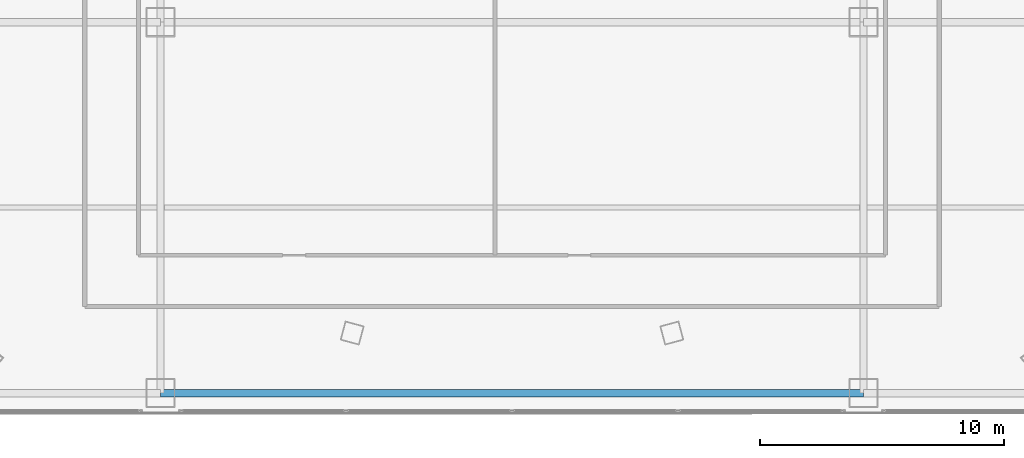
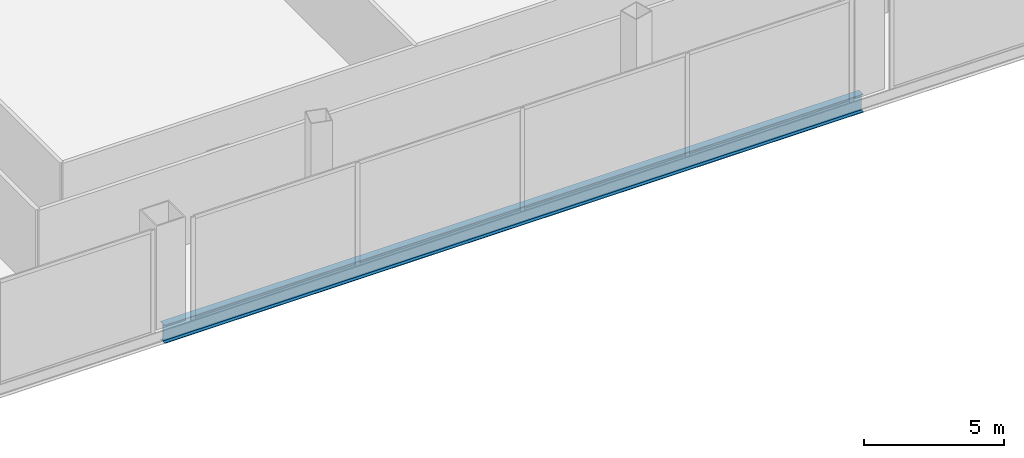
# One storey, part 8 of 40: 1 beam.
"""IFC4 building model written with IfcOpenShell, lengths in metres."""

from ifc_helpers import new_model, si_unit, direction, frame, origin, origin_2d, place, context, subcontext, project, spatial, i_section, extrude, source, transform, mapped, material, material_profile, profile_set, type_object, element, save


model = new_model("IFC4")

# Units and contexts
model_context = context("Model", 3, precision=1e-05, world=origin(), true_north=direction((0.0, 1.0)))
body_context = subcontext(model_context, "Body", "Model", "MODEL_VIEW")
ifc_project = project(units=[si_unit("LENGTHUNIT", "METRE"), si_unit("AREAUNIT", "SQUARE_METRE"), si_unit("VOLUMEUNIT", "CUBIC_METRE"), si_unit("PLANEANGLEUNIT", "RADIAN"), si_unit("MASSUNIT", "GRAM", prefix="KILO"), si_unit("THERMODYNAMICTEMPERATUREUNIT", "KELVIN"), si_unit("POWERUNIT", "WATT")], contexts=[model_context])

# Site, building, storey
site_placement = place(None, origin())
site = spatial("IfcSite", under=ifc_project, at=site_placement, CompositionType="ELEMENT")
building_placement = place(site_placement, origin())
building = spatial("IfcBuilding", under=site, at=building_placement, Name="Yunzhuo Pagoda Commons", CompositionType="ELEMENT")
storey_placement = place(building_placement, frame((0.0, 0.0, 14.39990234375)))
storey = spatial("IfcBuildingStorey", under=building, at=storey_placement, Name="L04", CompositionType="ELEMENT", Elevation=14.39990234375)

# Beam
ifc_material = material(Name="Structural steel Q355B", Category="steel")
ifc_material_profile = material_profile(ifc_material, i_section(OverallWidth=0.300048828125, OverallDepth=0.800048828125, WebThickness=0.013916015625, FlangeThickness=0.02587890625, at=origin_2d()), Name="Structural steel Q355B")
ifc_profile_set = profile_set([ifc_material_profile], Name="Structural steel Q355B")
beam_type = type_object("IfcBeamType", Name="B-PD2 Beam HN 800x300x14x26", PredefinedType="BEAM", material=ifc_profile_set)
shared_shape = source(origin(), body_context, "Body", "SweptSolid", [
    extrude(i_section(OverallWidth=0.300048828125, OverallDepth=0.800048828125, WebThickness=0.013916015625, FlangeThickness=0.02587890625, at=origin_2d()), origin(), (0.0, 0.0, 1.0), 28.7998046875),
])
beam_placement = place(storey_placement, frame((33.60009765625, 6.800048828125, -0.679931640625), z_axis=(1.0, 0.0, 0.0), x_axis=(0.0, 1.0, 0.0)))
element("IfcBeam", 1, at=beam_placement, inside=storey, type_object=beam_type, Name="L04 podium girder EW 1.3", PredefinedType="BEAM", context=body_context, shape_type="MappedRepresentation", body=[
    mapped(shared_shape, transform((0.0, 0.0, 0.0), scale=1.0)),
])

save(model, "model.ifc")
